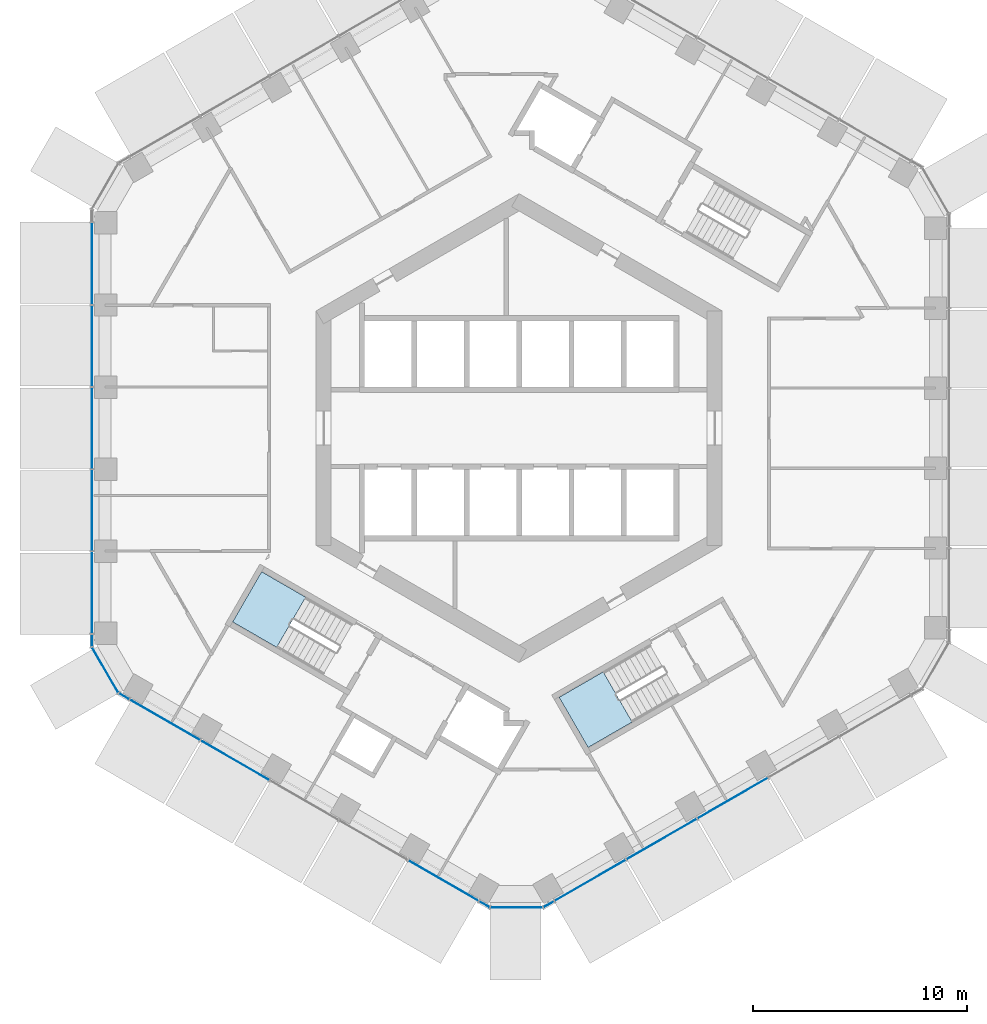
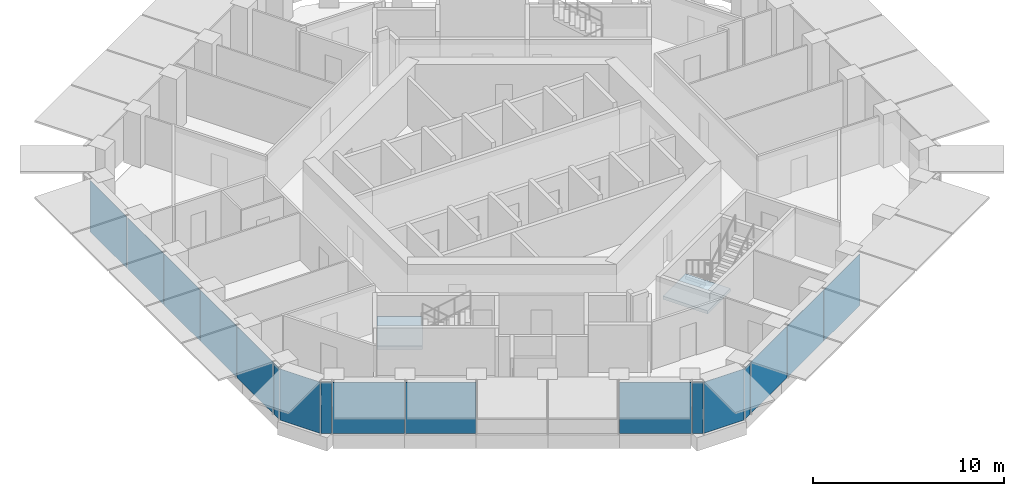
# One storey, part 8 of 18: 17 plates, 2 slabs, 7 elements without a shape of their own.
"""IFC4 building model written with IfcOpenShell, lengths in metres."""

from ifc_helpers import new_model, si_unit, direction, frame, origin, origin_2d, place, context, subcontext, project, spatial, polyline, rectangle, outline, extrude, material, layer, layer_set, type_object, element, aggregate, save


model = new_model("IFC4")

# Units and contexts
model_context = context("Model", 3, precision=1e-05, world=origin(), true_north=direction((0.0, 1.0)))
body_context = subcontext(model_context, "Body", "Model", "MODEL_VIEW")
ifc_project = project(units=[si_unit("LENGTHUNIT", "METRE"), si_unit("AREAUNIT", "SQUARE_METRE"), si_unit("VOLUMEUNIT", "CUBIC_METRE"), si_unit("PLANEANGLEUNIT", "RADIAN"), si_unit("MASSUNIT", "GRAM", prefix="KILO")], contexts=[model_context])

# Site, building, storey
site_placement = place(None, origin())
site = spatial("IfcSite", under=ifc_project, at=site_placement, CompositionType="ELEMENT")
building_placement = place(site_placement, origin())
building = spatial("IfcBuilding", under=site, at=building_placement, Name="Ayvan Gate Tower", CompositionType="ELEMENT")
storey_placement = place(building_placement, frame((0.0, 0.0, 89.89990234375)))
storey = spatial("IfcBuildingStorey", under=building, at=storey_placement, Name="L23", CompositionType="ELEMENT", Elevation=89.89990234375)

# Stair, slab
ifc_material_1 = material(Name="Concrete C40/50", Category="concrete")
stair_type = type_object("IfcStairType", Name="ST-EXIT", PredefinedType="HALF_TURN_STAIR", material=ifc_material_1)
stair_1_placement = place(storey_placement, origin())
stair_1 = element("IfcStair", 1, at=stair_1_placement, inside=storey, type_object=stair_type, Name="L23 Exit Stair S2", PredefinedType="HALF_TURN_STAIR")
ifc_layer_1 = layer(ifc_material_1, 0.199951171875)
ifc_layer_set_1 = layer_set([ifc_layer_1], Name="Concrete C40/50")
slab_type = type_object("IfcSlabType", Name="SL-LANDING-200", PredefinedType="LANDING", material=ifc_layer_set_1)
slab_1_placement = place(storey_placement, frame((0.0, 0.0, 1.5)))
slab_1 = element("IfcSlab", 2, at=slab_1_placement, type_object=slab_type, Name="STS2 landing 1", PredefinedType="LANDING", context=body_context, shape_type="SweptSolid", body=[
    extrude(outline(polyline([(-9.988525390625, -7.91064453125), (-12.049560546875, -6.720458984375), (-13.404541015625, -9.0673828125), (-11.343505859375, -10.257568359375), (-9.988525390625, -7.91064453125)])), origin(), (0.0, 0.0, 1.0), 0.2001953125),
])
aggregate(stair_1, [slab_1])

stair_2_placement = place(storey_placement, origin())
stair_2 = element("IfcStair", 3, at=stair_2_placement, inside=storey, type_object=stair_type, Name="L23 Exit Stair S3", PredefinedType="HALF_TURN_STAIR")
slab_2_placement = place(storey_placement, frame((0.0, 0.0, 1.5)))
slab_2 = element("IfcSlab", 4, at=slab_2_placement, type_object=slab_type, Name="STS3 landing 1", PredefinedType="LANDING", context=body_context, shape_type="SweptSolid", body=[
    extrude(outline(polyline([(3.93505859375, -11.405517578125), (1.873779296875, -12.595458984375), (3.228759765625, -14.9423828125), (5.2900390625, -13.75244140625), (3.93505859375, -11.405517578125)])), origin(), (0.0, 0.0, 1.0), 0.2001953125),
])
aggregate(stair_2, [slab_2])

# Curtain wall, plates
ifc_material_2 = material(Name="Bronze anodised aluminium", Category="aluminium")
ifc_layer_2 = layer(ifc_material_2, 0.199951171875)
ifc_layer_set_2 = layer_set([ifc_layer_2], Name="Bronze anodised aluminium")
curtain_wall_type_1 = type_object("IfcCurtainWallType", Name="Stick curtain wall CW-1", PredefinedType="NOTDEFINED", material=ifc_layer_set_2)
curtain_wall_1_placement = place(storey_placement, origin())
curtain_wall_1 = element("IfcCurtainWall", 5, at=curtain_wall_1_placement, inside=storey, type_object=curtain_wall_type_1, Name="Stick curtain wall CW-1 L23", PredefinedType="NOTDEFINED")
ifc_material_3 = material(Name="Clear low-iron laminated glass", Category="glass")
ifc_layer_3 = layer(ifc_material_3, 0.028076171875)
ifc_layer_set_3 = layer_set([ifc_layer_3], Name="Clear low-iron laminated glass")
plate_type_1 = type_object("IfcPlateType", Name="Stick curtain wall CW-1 glass panel", PredefinedType="CURTAIN_PANEL", material=ifc_layer_set_3)
plate_1_placement = place(storey_placement, frame((-19.991943359375, 7.71533203125, 0.0), z_axis=(0.0, 0.0, 1.0), x_axis=(0.0, -1.0, 0.0)))
plate_1 = element("IfcPlate", 6, at=plate_1_placement, type_object=plate_type_1, Name="CW-1 glass panel 1", PredefinedType="CURTAIN_PANEL", context=body_context, shape_type="SweptSolid", body=[
    extrude(rectangle(XDim=3.846923828125, YDim=0.028076171875, at=origin_2d()), origin(), (0.0, 0.0, 1.0), 3.280029296875),
])
plate_2_placement = place(storey_placement, frame((-19.991943359375, 3.84130859375, 0.0), z_axis=(0.0, 0.0, 1.0), x_axis=(0.0, -1.0, 0.0)))
plate_2 = element("IfcPlate", 7, at=plate_2_placement, type_object=plate_type_1, Name="CW-1 glass panel 2", PredefinedType="CURTAIN_PANEL", context=body_context, shape_type="SweptSolid", body=[
    extrude(rectangle(XDim=3.781005859375, YDim=0.028076171875, at=origin_2d()), origin(), (0.0, 0.0, 1.0), 3.280029296875),
])
plate_3_placement = place(storey_placement, frame((-19.991943359375, 0.000244140625, 0.0), z_axis=(0.0, 0.0, 1.0), x_axis=(0.0, -1.0, 0.0)))
plate_3 = element("IfcPlate", 8, at=plate_3_placement, type_object=plate_type_1, Name="CW-1 glass panel 3", PredefinedType="CURTAIN_PANEL", context=body_context, shape_type="SweptSolid", body=[
    extrude(rectangle(XDim=3.781005859375, YDim=0.028076171875, at=origin_2d()), origin(), (0.0, 0.0, 1.0), 3.280029296875),
])
plate_4_placement = place(storey_placement, frame((-19.991943359375, -3.84130859375, 0.0), z_axis=(0.0, 0.0, 1.0), x_axis=(0.0, -1.0, 0.0)))
plate_4 = element("IfcPlate", 9, at=plate_4_placement, type_object=plate_type_1, Name="CW-1 glass panel 4", PredefinedType="CURTAIN_PANEL", context=body_context, shape_type="SweptSolid", body=[
    extrude(rectangle(XDim=3.781982421875, YDim=0.028076171875, at=origin_2d()), origin(), (0.0, 0.0, 1.0), 3.280029296875),
])
plate_5_placement = place(storey_placement, frame((-19.991943359375, -7.715576171875, 0.0), z_axis=(0.0, 0.0, 1.0), x_axis=(0.0, -1.0, 0.0)))
plate_5 = element("IfcPlate", 10, at=plate_5_placement, type_object=plate_type_1, Name="CW-1 glass panel 5", PredefinedType="CURTAIN_PANEL", context=body_context, shape_type="SweptSolid", body=[
    extrude(rectangle(XDim=3.846435546875, YDim=0.028076171875, at=origin_2d()), origin(), (0.0, 0.0, 1.0), 3.280029296875),
])
aggregate(curtain_wall_1, [plate_1, plate_2, plate_3, plate_4, plate_5])

curtain_wall_2_placement = place(storey_placement, origin())
curtain_wall_2 = element("IfcCurtainWall", 11, at=curtain_wall_2_placement, inside=storey, type_object=curtain_wall_type_1, Name="Stick curtain wall CW-1 L23", PredefinedType="NOTDEFINED")
plate_6_placement = place(storey_placement, frame((-16.581298828125, -13.6484375, 0.0), z_axis=(0.0, 0.0, 1.0), x_axis=(0.866025403784, -0.5, 0.0)))
plate_6 = element("IfcPlate", 12, at=plate_6_placement, type_object=plate_type_1, Name="CW-1 glass panel 1", PredefinedType="CURTAIN_PANEL", context=body_context, shape_type="SweptSolid", body=[
    extrude(rectangle(XDim=3.794921875, YDim=0.028076171875, at=origin_2d()), origin(), (0.0, 0.0, 1.0), 3.280029296875),
])
plate_7_placement = place(storey_placement, frame((-13.29296875, -15.546875, 0.0), z_axis=(0.0, 0.0, 1.0), x_axis=(0.866025403784, -0.5, 0.0)))
plate_7 = element("IfcPlate", 13, at=plate_7_placement, type_object=plate_type_1, Name="CW-1 glass panel 2", PredefinedType="CURTAIN_PANEL", context=body_context, shape_type="SweptSolid", body=[
    extrude(rectangle(XDim=3.678955078125, YDim=0.028076171875, at=origin_2d()), origin(), (0.0, 0.0, 1.0), 3.280029296875),
])
plate_8_placement = place(storey_placement, frame((-3.529296875, -21.18408203125, 0.0), z_axis=(0.0, 0.0, 1.0), x_axis=(0.866025403784, -0.5, 0.0)))
plate_8 = element("IfcPlate", 14, at=plate_8_placement, type_object=plate_type_1, Name="CW-1 glass panel 5", PredefinedType="CURTAIN_PANEL", context=body_context, shape_type="SweptSolid", body=[
    extrude(rectangle(XDim=3.79541015625, YDim=0.028076171875, at=origin_2d()), origin(), (0.0, 0.0, 1.0), 3.280029296875),
])
aggregate(curtain_wall_2, [plate_6, plate_7, plate_8])

curtain_wall_3_placement = place(storey_placement, origin())
curtain_wall_3 = element("IfcCurtainWall", 15, at=curtain_wall_3_placement, inside=storey, type_object=curtain_wall_type_1, Name="Stick curtain wall CW-1 L23", PredefinedType="NOTDEFINED")
plate_9_placement = place(storey_placement, frame((3.314208984375, -21.171142578125, 0.0), z_axis=(0.0, 0.0, 1.0), x_axis=(0.866025403784, 0.5, 0.0)))
plate_9 = element("IfcPlate", 16, at=plate_9_placement, type_object=plate_type_1, Name="CW-1 glass panel 1", PredefinedType="CURTAIN_PANEL", context=body_context, shape_type="SweptSolid", body=[
    extrude(rectangle(XDim=3.846923828125, YDim=0.028076171875, at=origin_2d()), origin(), (0.0, 0.0, 1.0), 3.280029296875),
])
plate_10_placement = place(storey_placement, frame((6.669189453125, -19.234130859375, 0.0), z_axis=(0.0, 0.0, 1.0), x_axis=(0.866025403784, 0.5, 0.0)))
plate_10 = element("IfcPlate", 17, at=plate_10_placement, type_object=plate_type_1, Name="CW-1 glass panel 2", PredefinedType="CURTAIN_PANEL", context=body_context, shape_type="SweptSolid", body=[
    extrude(rectangle(XDim=3.781005859375, YDim=0.028076171875, at=origin_2d()), origin(), (0.0, 0.0, 1.0), 3.280029296875),
])
plate_11_placement = place(storey_placement, frame((9.99560546875, -17.313720703125, 0.0), z_axis=(0.0, 0.0, 1.0), x_axis=(0.866025403784, 0.5, 0.0)))
plate_11 = element("IfcPlate", 18, at=plate_11_placement, type_object=plate_type_1, Name="CW-1 glass panel 3", PredefinedType="CURTAIN_PANEL", context=body_context, shape_type="SweptSolid", body=[
    extrude(rectangle(XDim=3.781005859375, YDim=0.028076171875, at=origin_2d()), origin(), (0.0, 0.0, 1.0), 3.280029296875),
])
aggregate(curtain_wall_3, [plate_9, plate_10, plate_11])

ifc_layer_4 = layer(ifc_material_2, 0.199951171875)
ifc_layer_set_4 = layer_set([ifc_layer_4], Name="Bronze anodised aluminium")
curtain_wall_type_2 = type_object("IfcCurtainWallType", Name="Stick curtain wall CW-6", PredefinedType="NOTDEFINED", material=ifc_layer_set_4)
curtain_wall_4_placement = place(storey_placement, origin())
curtain_wall_4 = element("IfcCurtainWall", 19, at=curtain_wall_4_placement, inside=storey, type_object=curtain_wall_type_2, Name="Stick curtain wall CW-6 L23", PredefinedType="NOTDEFINED")
ifc_layer_5 = layer(ifc_material_3, 0.028076171875)
ifc_layer_set_5 = layer_set([ifc_layer_5], Name="Clear low-iron laminated glass")
plate_type_2 = type_object("IfcPlateType", Name="Stick curtain wall CW-6 glass panel", PredefinedType="CURTAIN_PANEL", material=ifc_layer_set_5)
plate_12_placement = place(storey_placement, frame((-19.991943359375, -9.94384765625, 0.0), z_axis=(0.0, 0.0, 1.0), x_axis=(0.0, -1.0, 0.0)))
plate_12 = element("IfcPlate", 20, at=plate_12_placement, type_object=plate_type_2, Name="CW-6 glass panel 1", PredefinedType="CURTAIN_PANEL", context=body_context, shape_type="SweptSolid", body=[
    extrude(rectangle(XDim=0.550048828125, YDim=0.028076171875, at=origin_2d()), origin(), (0.0, 0.0, 1.0), 3.280029296875),
])
plate_13_placement = place(storey_placement, frame((-19.3701171875, -11.320556640625, 0.0), z_axis=(0.0, 0.0, 1.0), x_axis=(0.5, -0.866025403784, 0.0)))
plate_13 = element("IfcPlate", 21, at=plate_13_placement, type_object=plate_type_2, Name="CW-6 glass panel 2", PredefinedType="CURTAIN_PANEL", context=body_context, shape_type="SweptSolid", body=[
    extrude(rectangle(XDim=2.4365234375, YDim=0.028076171875, at=origin_2d()), origin(), (0.0, 0.0, 1.0), 3.280029296875),
])
plate_14_placement = place(storey_placement, frame((-18.48876953125, -12.547119140625, 0.0), z_axis=(0.0, 0.0, 1.0), x_axis=(0.866025403784, -0.5, 0.0)))
plate_14 = element("IfcPlate", 22, at=plate_14_placement, type_object=plate_type_2, Name="CW-6 glass panel 3", PredefinedType="CURTAIN_PANEL", context=body_context, shape_type="SweptSolid", body=[
    extrude(rectangle(XDim=0.550048828125, YDim=0.028076171875, at=origin_2d()), origin(), (0.0, 0.0, 1.0), 3.280029296875),
])
aggregate(curtain_wall_4, [plate_12, plate_13, plate_14])

curtain_wall_5_placement = place(storey_placement, origin())
curtain_wall_5 = element("IfcCurtainWall", 23, at=curtain_wall_5_placement, inside=storey, type_object=curtain_wall_type_2, Name="Stick curtain wall CW-6 L23", PredefinedType="NOTDEFINED")
plate_15_placement = place(storey_placement, frame((-1.621826171875, -22.285400390625, 0.0), z_axis=(0.0, 0.0, 1.0), x_axis=(0.866025403784, -0.5, 0.0)))
plate_15 = element("IfcPlate", 24, at=plate_15_placement, type_object=plate_type_2, Name="CW-6 glass panel 1", PredefinedType="CURTAIN_PANEL", context=body_context, shape_type="SweptSolid", body=[
    extrude(rectangle(XDim=0.550048828125, YDim=0.028076171875, at=origin_2d()), origin(), (0.0, 0.0, 1.0), 3.280029296875),
])
plate_16_placement = place(storey_placement, frame((-0.11865234375, -22.435302734375, 0.0), z_axis=(0.0, 0.0, 1.0), x_axis=(1.0, 0.0, 0.0)))
plate_16 = element("IfcPlate", 25, at=plate_16_placement, type_object=plate_type_2, Name="CW-6 glass panel 2", PredefinedType="CURTAIN_PANEL", context=body_context, shape_type="SweptSolid", body=[
    extrude(rectangle(XDim=2.4365234375, YDim=0.028076171875, at=origin_2d()), origin(), (0.0, 0.0, 1.0), 3.280029296875),
])
plate_17_placement = place(storey_placement, frame((1.38427734375, -22.285400390625, 0.0), z_axis=(0.0, 0.0, 1.0), x_axis=(0.866025403784, 0.5, 0.0)))
plate_17 = element("IfcPlate", 26, at=plate_17_placement, type_object=plate_type_2, Name="CW-6 glass panel 3", PredefinedType="CURTAIN_PANEL", context=body_context, shape_type="SweptSolid", body=[
    extrude(rectangle(XDim=0.550048828125, YDim=0.028076171875, at=origin_2d()), origin(), (0.0, 0.0, 1.0), 3.280029296875),
])
aggregate(curtain_wall_5, [plate_15, plate_16, plate_17])

save(model, "model.ifc")
